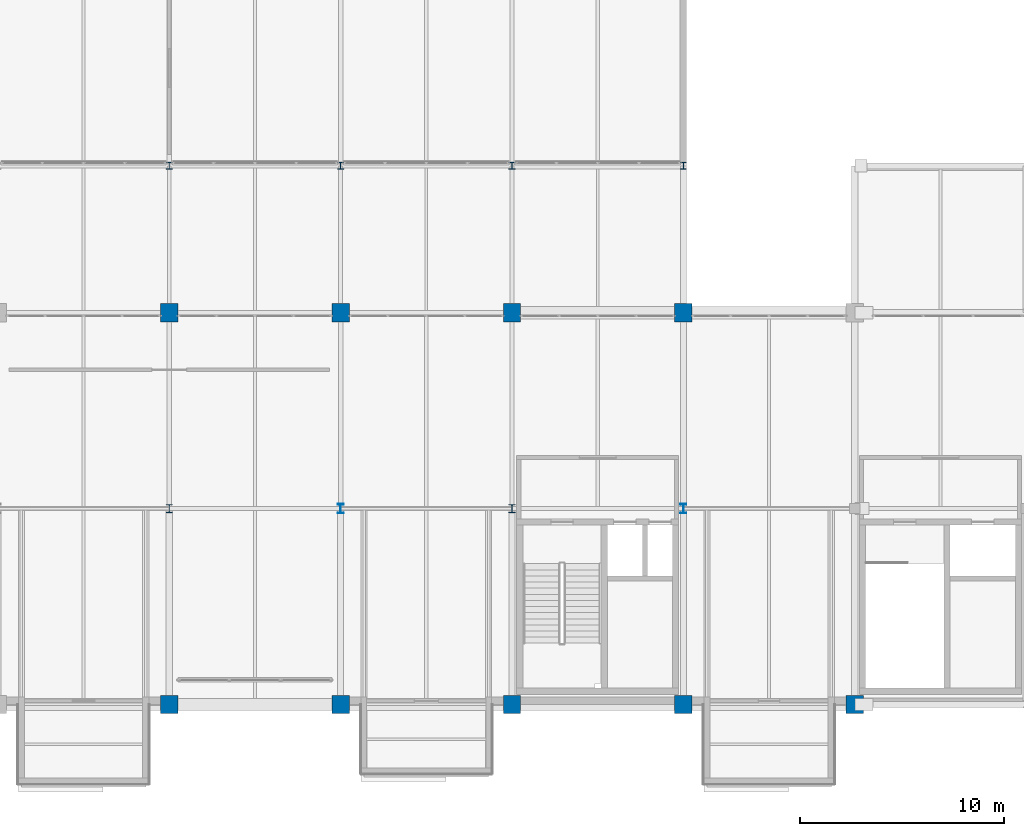
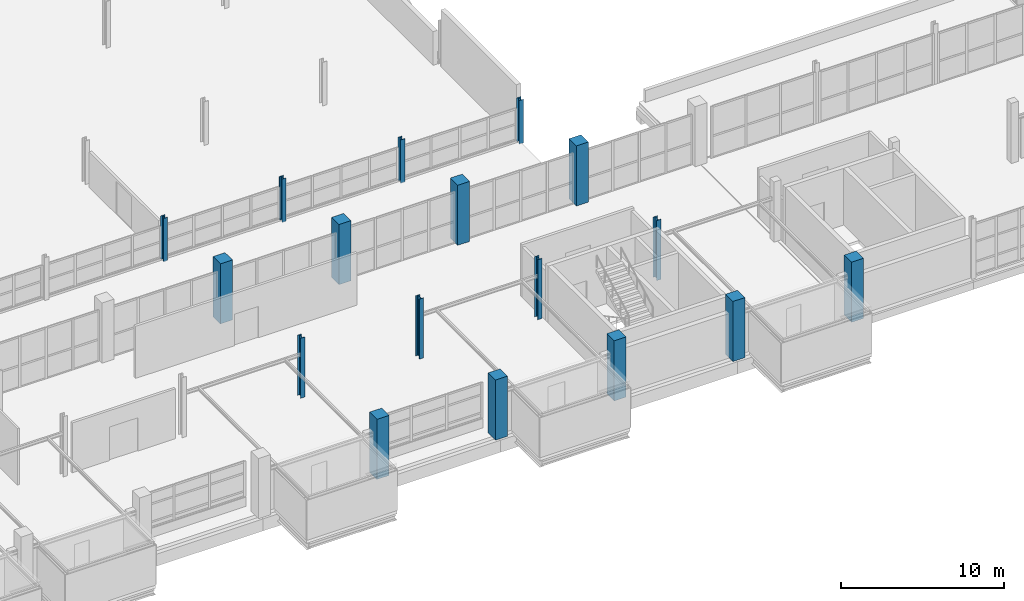
# One storey, part 3 of 103: 17 columns.
"""IFC4 building model written with IfcOpenShell, lengths in metres."""

import ifcopenshell
import ifcopenshell.guid

model = None  # the IFC model being written
_history = None  # IfcOwnerHistory: only IFC2X3 demands one
_inside = {}  # id of a spatial element -> (the spatial element, [elements in it])
_under = {}  # id of a project, library or spatial element -> (it, [spatial elements below it])
_declared = {}  # id of a project -> (the project, [libraries it declares])
_typed = {}  # id of a type object -> (the type object, [elements of that type])
_made_of = {}  # id of a material, layer set ... -> (it, [elements and type objects made of it])


def new_model(schema):
    """Start an empty IFC model of exactly this schema.

    Asked for "IFC4X3", IfcOpenShell would pick the latest addendum, in which some entities
    have other attributes; the version numbers below select the first issue.
    IFC2X3 requires an IfcOwnerHistory on every rooted entity: one is made here for all.
    """
    global model, _history
    if schema == "IFC4X3":
        model = ifcopenshell.file(schema_version=(4, 3, 0, 0))
    else:
        model = ifcopenshell.file(schema=schema)
    _inside.clear()
    _under.clear()
    _declared.clear()
    _typed.clear()
    _made_of.clear()
    _history = None
    if model.schema == "IFC2X3":
        org = make("IfcOrganization", Name="unknown")
        user = make(
            "IfcPersonAndOrganization",
            ThePerson=make("IfcPerson", FamilyName="unknown"),
            TheOrganization=org,
        )
        app = make(
            "IfcApplication",
            ApplicationDeveloper=org,
            Version="unknown",
            ApplicationFullName="unknown",
            ApplicationIdentifier="unknown",
        )
        _history = make(
            "IfcOwnerHistory",
            OwningUser=user,
            OwningApplication=app,
            ChangeAction="ADDED",
            CreationDate=0,
        )
    return model


def make(cls, **values):
    """One entity of the class cls with the attributes given. An attribute that is None is left unset."""
    return model.create_entity(
        cls, **{name: value for name, value in values.items() if value is not None}
    )


def rooted(cls, **values):
    """An entity with a GlobalId (a new one), such as an element, a storey or a relation."""
    return make(cls, GlobalId=ifcopenshell.guid.new(), OwnerHistory=_history, **values)


def si_unit(unit_type, name, prefix=None):
    """IfcSIUnit, for example si_unit("LENGTHUNIT", "METRE", prefix="MILLI")."""
    return make("IfcSIUnit", UnitType=unit_type, Prefix=prefix, Name=name)


def assignment(units):
    """IfcUnitAssignment: the units of a project."""
    return None if units is None else make("IfcUnitAssignment", Units=units)


def point(xyz):
    """IfcCartesianPoint."""
    return None if xyz is None else make("IfcCartesianPoint", Coordinates=xyz)


def direction(xyz):
    """IfcDirection."""
    return None if xyz is None else make("IfcDirection", DirectionRatios=xyz)


def frame(location, z_axis=None, x_axis=None):
    """IfcAxis2Placement3D, a coordinate frame: its origin and axes. An axis left out is left unset."""
    return make(
        "IfcAxis2Placement3D",
        Location=point(location),
        Axis=direction(z_axis),
        RefDirection=direction(x_axis),
    )


def frame_2d(location, x_axis=None):
    """IfcAxis2Placement2D, a coordinate frame in the plane: its origin and x axis."""
    return make(
        "IfcAxis2Placement2D", Location=point(location), RefDirection=direction(x_axis)
    )


def origin():
    """The frame at (0, 0, 0) with its axes left unset."""
    return frame((0.0, 0.0, 0.0))


def origin_2d():
    """The frame at (0, 0) in the plane with its x axis left unset."""
    return frame_2d((0.0, 0.0))


def place(relative_to, where):
    """IfcLocalPlacement: puts the frame where relative to a parent placement (None: the world)."""
    return make(
        "IfcLocalPlacement", PlacementRelTo=relative_to, RelativePlacement=where
    )


def context(
    kind, dimensions, precision=None, world=None, true_north=None, identifier=None
):
    """IfcGeometricRepresentationContext, for example the 3D "Model" context."""
    return make(
        "IfcGeometricRepresentationContext",
        ContextIdentifier=identifier,
        ContextType=kind,
        CoordinateSpaceDimension=dimensions,
        Precision=precision,
        WorldCoordinateSystem=world,
        TrueNorth=true_north,
    )


def subcontext(parent, identifier, kind, view, scale=None):
    """IfcGeometricRepresentationSubContext, for example "Body" below "Model"."""
    return make(
        "IfcGeometricRepresentationSubContext",
        ContextIdentifier=identifier,
        ContextType=kind,
        ParentContext=parent,
        TargetScale=scale,
        TargetView=view,
    )


def project(units=None, contexts=None):
    """IfcProject with its units and contexts."""
    return rooted(
        "IfcProject",
        Name="project",
        RepresentationContexts=contexts,
        UnitsInContext=assignment(units),
    )


def spatial(cls, under=None, at=None, **own):
    """A site, building, storey or space (cls), placed at a placement, below another one or the project."""
    s = rooted(cls, ObjectPlacement=at, **own)
    if under is not None:
        _under.setdefault(under.id(), (under, []))[1].append(s)
    return s


def profile(cls, at=None, kind="AREA", **sizes):
    """A parametric profile (cls). Its sizes go by their IFC names, for example OverallWidth=200.0."""
    return make(cls, ProfileType=kind, Position=at, **sizes)


def rectangle(**sizes):
    """IfcRectangleProfileDef."""
    return profile("IfcRectangleProfileDef", **sizes)


def i_section(**sizes):
    """IfcIShapeProfileDef."""
    return profile("IfcIShapeProfileDef", **sizes)


def extrude(swept, where, along, depth):
    """IfcExtrudedAreaSolid: the profile swept, set in the frame where, extruded along a direction by depth."""
    return make(
        "IfcExtrudedAreaSolid",
        SweptArea=swept,
        Position=where,
        ExtrudedDirection=direction(along),
        Depth=depth,
    )


def shape(context_of_items, identifier, shape_type, items):
    """IfcShapeRepresentation: the items that make up one representation, for example the "Body"."""
    return make(
        "IfcShapeRepresentation",
        ContextOfItems=context_of_items,
        RepresentationIdentifier=identifier,
        RepresentationType=shape_type,
        Items=items,
    )


def material(Name=None, Category=None):
    """IfcMaterial."""
    return make("IfcMaterial", Name=Name, Category=Category)


def material_profile(
    of_material, cross_section, Name=None, Category=None, Priority=None
):
    """IfcMaterialProfile: a cross section and its material."""
    return make(
        "IfcMaterialProfile",
        Name=Name,
        Material=of_material,
        Profile=cross_section,
        Priority=Priority,
        Category=Category,
    )


def profile_set(profiles, Name=None, composite=None):
    """IfcMaterialProfileSet."""
    return make(
        "IfcMaterialProfileSet",
        Name=Name,
        MaterialProfiles=profiles,
        CompositeProfile=composite,
    )


def made_of(thing, what):
    """Note that an element or type object is made of a material, layer set ...; save() writes the relation."""
    if what is not None:
        _made_of.setdefault(what.id(), (what, []))[1].append(thing)
    return thing


def type_object(cls, material=None, **own):
    """A type object (cls), such as IfcWallType, which elements share."""
    return made_of(rooted(cls, **own), material)


def element(
    cls,
    number,
    at=None,
    inside=None,
    cuts=None,
    type_object=None,
    material=None,
    context=None,
    identifier="Body",
    shape_type=None,
    held_by="IfcProductDefinitionShape",
    body=None,
    shapes=None,
    **own,
):
    """One element of the class cls, such as IfcWall. Its Tag is "e" and its number.

    at: its placement. inside: the storey or other place that contains it. cuts: it is an
    opening in that element (IfcRelVoidsElement). A single representation is given by context,
    identifier, shape_type and body (its items); several are given by shapes. held_by: the class
    of the entity that holds the representations. save() writes the other relations.
    """
    e = rooted(cls, Tag="e%d" % number, ObjectPlacement=at, **own)
    if body is not None:
        shapes = [shape(context, identifier, shape_type, body)]
    if shapes is not None:
        e.Representation = make(held_by, Representations=shapes)
    if inside is not None:
        _inside.setdefault(inside.id(), (inside, []))[1].append(e)
    if cuts is not None:
        rooted(
            "IfcRelVoidsElement", RelatingBuildingElement=cuts, RelatedOpeningElement=e
        )
    if type_object is not None:
        _typed.setdefault(type_object.id(), (type_object, []))[1].append(e)
    return made_of(e, material)


def aggregate(whole, parts):
    """IfcRelAggregates: a whole, such as a stair, and the parts it consists of."""
    return rooted("IfcRelAggregates", RelatingObject=whole, RelatedObjects=parts)


def save(model, path):
    """Write the relations noted so far, then the file.

    IfcRelAggregates (storeys below a building ...), IfcRelContainedInSpatialStructure (elements
    in a storey), IfcRelDefinesByType, IfcRelAssociatesMaterial and IfcRelDeclares: one each for
    every whole, place, type object, material and project.
    """
    for whole, parts in _under.values():
        aggregate(whole, parts)
    for where, things in _inside.values():
        rooted(
            "IfcRelContainedInSpatialStructure",
            RelatedElements=things,
            RelatingStructure=where,
        )
    for kind, things in _typed.values():
        rooted("IfcRelDefinesByType", RelatedObjects=things, RelatingType=kind)
    for what, things in _made_of.values():
        rooted("IfcRelAssociatesMaterial", RelatedObjects=things, RelatingMaterial=what)
    for by, libraries in _declared.values():
        rooted("IfcRelDeclares", RelatingContext=by, RelatedDefinitions=libraries)
    model.write(path)


model = new_model("IFC4")

# Units and contexts
model_context = context("Model", 3, precision=1e-05, world=origin(), true_north=direction((0.0, 1.0)))
body_context = subcontext(model_context, "Body", "Model", "MODEL_VIEW")
ifc_project = project(units=[si_unit("LENGTHUNIT", "METRE"), si_unit("AREAUNIT", "SQUARE_METRE"), si_unit("VOLUMEUNIT", "CUBIC_METRE"), si_unit("PLANEANGLEUNIT", "RADIAN"), si_unit("MASSUNIT", "GRAM", prefix="KILO")], contexts=[model_context])

# Site, building, storey
site_placement = place(None, origin())
site = spatial("IfcSite", under=ifc_project, at=site_placement, CompositionType="ELEMENT")
building_placement = place(site_placement, origin())
building = spatial("IfcBuilding", under=site, at=building_placement, Name="Veltarok Museum of Natural Sciences", CompositionType="ELEMENT")
storey_placement = place(building_placement, frame((0.0, 0.0, 21.89990234375)))
storey = spatial("IfcBuildingStorey", under=building, at=storey_placement, Name="L04", CompositionType="ELEMENT", Elevation=21.89990234375)

# Columns
ifc_material_1 = material(Name="Concrete C40/50", Category="concrete")
ifc_material_profile_1 = material_profile(ifc_material_1, rectangle(XDim=0.85009765625, YDim=0.89990234375, at=origin_2d()), Name="RC 850x900")
ifc_profile_set_1 = profile_set([ifc_material_profile_1], Name="Concrete C40/50")
column_type_1 = type_object("IfcColumnType", Name="Exposed Cabinet Grid Column RC 850x900", PredefinedType="COLUMN", material=ifc_profile_set_1)
for number, where, z_axis, x_axis, name in (
    (1, (73.60009765625, 0.0, 0.0), (0.0, 0.0, 1.0), (1.0, 0.0, 0.0), "Column COL-CAB01 L04 9/A"),
    (2, (73.60009765625, 19.199951171875, 0.0), (0.0, 0.0, 1.0), (1.0, 0.0, 0.0), "Column COL-CAB01 L04 9/C"),
    (3, (82.0, 0.0, 0.0), (0.0, 0.0, 1.0), (1.0, 0.0, 0.0), "Column COL-CAB01 L04 10/A"),
    (4, (82.0, 19.199951171875, 0.0), (0.0, 0.0, 1.0), (1.0, 0.0, 0.0), "Column COL-CAB01 L04 10/C"),
    (5, (90.39990234375, 0.0, 0.0), (0.0, 0.0, 1.0), (1.0, 0.0, 0.0), "Column COL-CAB01 L04 11/A"),
    (6, (90.39990234375, 19.199951171875, 0.0), (0.0, 0.0, 1.0), (1.0, 0.0, 0.0), "Column COL-CAB01 L04 11/C"),
    (7, (98.800048828125, 0.0, 0.0), (0.0, 0.0, 1.0), (1.0, 0.0, 0.0), "Column COL-CAB01 L04 12/A"),
    (8, (98.800048828125, 19.199951171875, 0.0), (0.0, 0.0, 1.0), (1.0, 0.0, 0.0), "Column COL-CAB01 L04 12/C"),
    (9, (107.199951171875, 0.0, 0.0), (0.0, 0.0, 1.0), (1.0, 0.0, 0.0), "Column COL-CAB01 L04 13/A"),
):
    element("IfcColumn", number, at=place(storey_placement, frame(where, z_axis=z_axis, x_axis=x_axis)), inside=storey, type_object=column_type_1, Name=name, PredefinedType="COLUMN", context=body_context, shape_type="SweptSolid", body=[
        extrude(rectangle(XDim=0.85009765625, YDim=0.89990234375, at=origin_2d()), origin(), (0.0, 0.0, 1.0), 4.5),
    ])
ifc_material_2 = material(Name="Steel S355J2", Category="steel")
ifc_material_profile_2 = material_profile(ifc_material_2, i_section(OverallWidth=0.300048828125, OverallDepth=0.340087890625, WebThickness=0.011962890625, FlangeThickness=0.021484375, FilletRadius=0.027099609375, at=origin_2d()), Name="HEB 340")
ifc_profile_set_2 = profile_set([ifc_material_profile_2], Name="Steel S355J2")
column_type_2 = type_object("IfcColumnType", Name="Perimeter Spine Column HEB 340", PredefinedType="COLUMN", material=ifc_profile_set_2)
for number, where, z_axis, x_axis, name in (
    (10, (73.60009765625, 26.39990234375, 0.0), (0.0, 0.0, 1.0), (1.0, 0.0, 0.0), "Column COL-EXT05 L04 9/D"),
    (11, (82.0, 26.39990234375, 0.0), (0.0, 0.0, 1.0), (1.0, 0.0, 0.0), "Column COL-EXT05 L04 10/D"),
    (12, (90.39990234375, 26.39990234375, 0.0), (0.0, 0.0, 1.0), (1.0, 0.0, 0.0), "Column COL-EXT05 L04 11/D"),
    (13, (98.800048828125, 26.39990234375, 0.0), (0.0, 0.0, 1.0), (1.0, 0.0, 0.0), "Column COL-EXT05 L04 12/D"),
):
    element("IfcColumn", number, at=place(storey_placement, frame(where, z_axis=z_axis, x_axis=x_axis)), inside=storey, type_object=column_type_2, Name=name, PredefinedType="COLUMN", context=body_context, shape_type="SweptSolid", body=[
        extrude(i_section(OverallWidth=0.300048828125, OverallDepth=0.340087890625, WebThickness=0.011962890625, FlangeThickness=0.021484375, FilletRadius=0.027099609375, at=origin_2d()), origin(), (0.0, 0.0, 1.0), 3.260009765625),
    ])
ifc_material_profile_3 = material_profile(ifc_material_2, i_section(OverallWidth=0.300048828125, OverallDepth=0.39990234375, WebThickness=0.013427734375, FlangeThickness=0.02392578125, FilletRadius=0.027099609375, at=origin_2d()), Name="HEB 400")
ifc_profile_set_3 = profile_set([ifc_material_profile_3], Name="Steel S355J2")
column_type_3 = type_object("IfcColumnType", Name="Top Storey Column HEB 400", PredefinedType="COLUMN", material=ifc_profile_set_3)
for number, where, z_axis, x_axis, name in (
    (14, (73.60009765625, 9.60009765625, 0.0), (0.0, 0.0, 1.0), (1.0, 0.0, 0.0), "Column COL-S06 L04 9/B"),
    (15, (90.39990234375, 9.60009765625, 0.0), (0.0, 0.0, 1.0), (1.0, 0.0, 0.0), "Column COL-S06 L04 11/B"),
):
    element("IfcColumn", number, at=place(storey_placement, frame(where, z_axis=z_axis, x_axis=x_axis)), inside=storey, type_object=column_type_3, Name=name, PredefinedType="COLUMN", context=body_context, shape_type="SweptSolid", body=[
        extrude(i_section(OverallWidth=0.300048828125, OverallDepth=0.39990234375, WebThickness=0.013427734375, FlangeThickness=0.02392578125, FilletRadius=0.027099609375, at=origin_2d()), origin(), (0.0, 0.0, 1.0), 4.5),
    ])
ifc_material_profile_4 = material_profile(ifc_material_2, i_section(OverallWidth=0.300048828125, OverallDepth=0.449951171875, WebThickness=0.013916015625, FlangeThickness=0.02587890625, FilletRadius=0.027099609375, at=origin_2d()), Name="HEB 450")
ifc_profile_set_4 = profile_set([ifc_material_profile_4], Name="Steel S355J2")
column_type_4 = type_object("IfcColumnType", Name="Upper Gallery Column HEB 450", PredefinedType="COLUMN", material=ifc_profile_set_4)
for number, where, z_axis, x_axis, name in (
    (16, (82.0, 9.60009765625, 0.0), (0.0, 0.0, 1.0), (1.0, 0.0, 0.0), "Column COL-S11 L04 10/B"),
    (17, (98.800048828125, 9.60009765625, 0.0), (0.0, 0.0, 1.0), (1.0, 0.0, 0.0), "Column COL-S11 L04 12/B"),
):
    element("IfcColumn", number, at=place(storey_placement, frame(where, z_axis=z_axis, x_axis=x_axis)), inside=storey, type_object=column_type_4, Name=name, PredefinedType="COLUMN", context=body_context, shape_type="SweptSolid", body=[
        extrude(i_section(OverallWidth=0.300048828125, OverallDepth=0.449951171875, WebThickness=0.013916015625, FlangeThickness=0.02587890625, FilletRadius=0.027099609375, at=origin_2d()), origin(), (0.0, 0.0, 1.0), 4.5),
    ])

save(model, "model.ifc")
